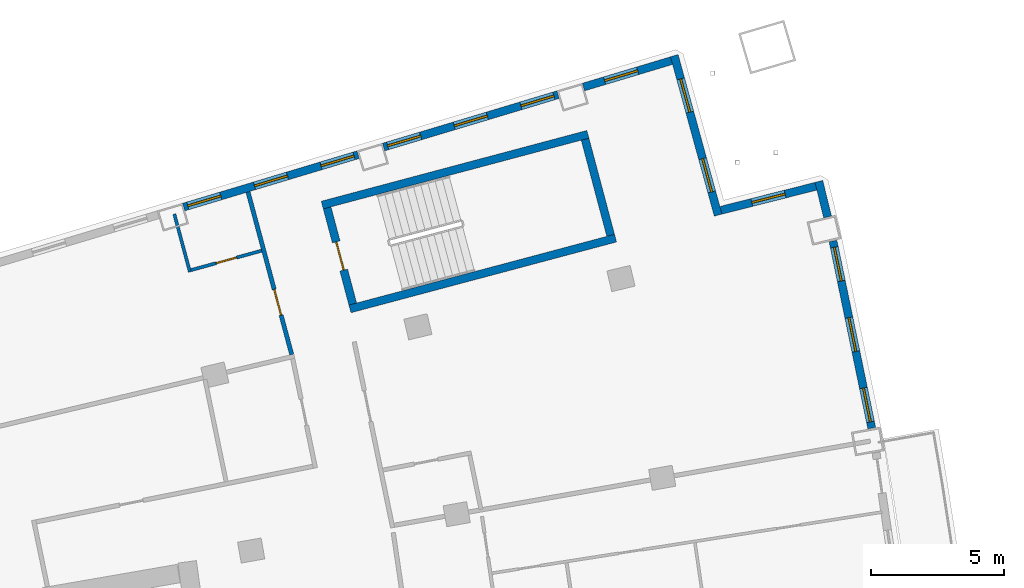
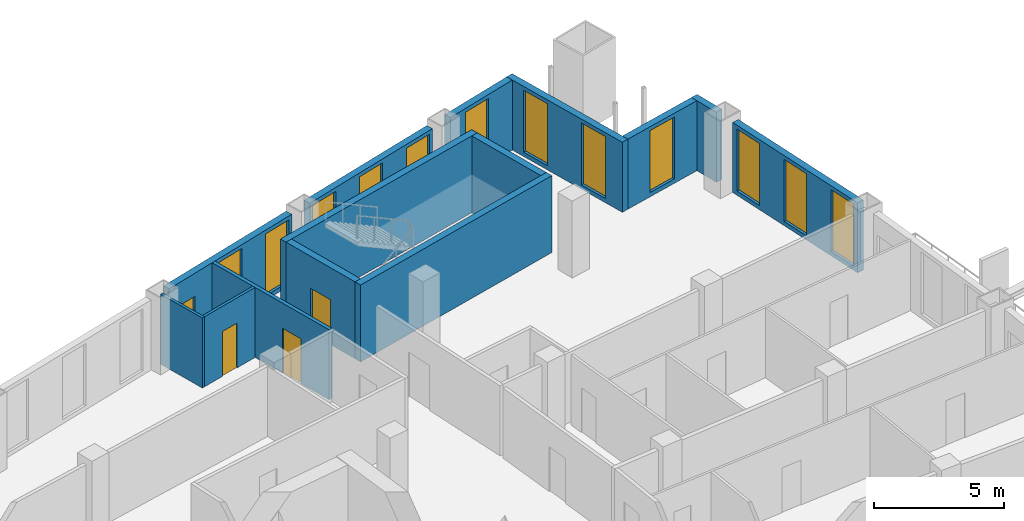
# One storey, part 16 of 20: 14 walls, 13 windows, 3 doors, 16 openings.
"""IFC4 building model written with IfcOpenShell, lengths in metres."""

from ifc_helpers import new_model, si_unit, direction, frame, frame_2d, origin, place, context, subcontext, project, spatial, rectangle, extrude, material, layer, layer_set, type_object, element, fill, save


model = new_model("IFC4")

# Units and contexts
model_context = context("Model", 3, precision=1e-05, world=origin(), true_north=direction((0.0, 1.0)))
body_context = subcontext(model_context, "Body", "Model", "MODEL_VIEW")
ifc_project = project(units=[si_unit("LENGTHUNIT", "METRE"), si_unit("AREAUNIT", "SQUARE_METRE"), si_unit("VOLUMEUNIT", "CUBIC_METRE"), si_unit("PLANEANGLEUNIT", "RADIAN"), si_unit("MASSUNIT", "GRAM", prefix="KILO")], contexts=[model_context])

# Site, building, storey
site_placement = place(None, origin())
site = spatial("IfcSite", under=ifc_project, at=site_placement, CompositionType="ELEMENT")
building_placement = place(site_placement, origin())
building = spatial("IfcBuilding", under=site, at=building_placement, Name="Alderwake Tower", CompositionType="ELEMENT")
storey_placement = place(building_placement, frame((0.0, 0.0, 164.0)))
storey = spatial("IfcBuildingStorey", under=building, at=storey_placement, Name="L40", CompositionType="ELEMENT", Elevation=164.0)

# Walls
ifc_material_1 = material(Name="Concrete C70/85", Category="concrete")
ifc_layer_1 = layer(ifc_material_1, 0.300048828125)
ifc_layer_set_1 = layer_set([ifc_layer_1], Name="Core wall stair enclosure 300 C70-85")
wall_type_1 = type_object("IfcWallType", Name="Core wall stair enclosure 300 C70-85", PredefinedType="SHEAR", material=ifc_layer_set_1)
for number, where, z_axis, x_axis, name in (
    (1, (36.71142578125, 94.182373046875, 0.0), (0.0, 0.0, 1.0), (0.966309214305, 0.257383958996, 0.0), "Core wall CW.082"),
    (2, (37.75390625, 90.268798828125, 0.0), (0.0, 0.0, 1.0), (0.966309214305, 0.257383958996, 0.0), "Core wall CW.084"),
):
    element("IfcWall", number, at=place(storey_placement, frame(where, z_axis=z_axis, x_axis=x_axis)), inside=storey, type_object=wall_type_1, Name=name, PredefinedType="SHEAR", context=body_context, shape_type="SweptSolid", body=[
        extrude(rectangle(XDim=10.360107421875, YDim=0.300048828125, at=frame_2d((5.18017578125, 0.0))), origin(), (0.0, 0.0, 1.0), 3.60009765625),
    ])

# Wall, opening, door
wall_1_placement = place(storey_placement, frame((37.8603515625, 90.452392578125, 0.0), z_axis=(0.0, 0.0, 1.0), x_axis=(-0.257411420208, 0.966301899381, 0.0)))
wall_1 = element("IfcWall", 3, at=wall_1_placement, inside=storey, type_object=wall_type_1, Name="Core wall CW.083", PredefinedType="SHEAR", context=body_context, shape_type="SweptSolid", body=[
    extrude(rectangle(XDim=3.750244140625, YDim=0.300048828125, at=frame_2d((1.875, 0.0))), origin(), (0.0, 0.0, 1.0), 3.60009765625),
])
opening_1_placement = place(wall_1_placement, frame((1.324951171875, 0.0, 0.0)))
opening_1 = element("IfcOpeningElement", 4, at=opening_1_placement, cuts=wall_1, Name="Opening C062", PredefinedType="OPENING", context=body_context, shape_type="SweptSolid", body=[
    extrude(rectangle(XDim=1.10009765625, YDim=2.10009765625, at=frame_2d((0.550048828125, 1.050048828125))), frame((0.0, 0.159912109375, 0.0), z_axis=(0.0, -1.0, 0.0), x_axis=(1.0, 0.0, 0.0)), (0.0, 0.0, 1.0), 0.320068359375),
])
ifc_material_2 = material(Name="Steel-framed fire door leaf", Category="steel")
door_type_1 = type_object("IfcDoorType", Name="Core stair door 1100 fire-rated", OperationType="SINGLE_SWING_LEFT", PredefinedType="DOOR", material=ifc_material_2)
door_1_placement = place(opening_1_placement, origin())
door_1 = element("IfcDoor", 5, at=door_1_placement, inside=storey, type_object=door_type_1, Name="Stair door", OperationType="SINGLE_SWING_LEFT", OverallHeight=2.10009765625, OverallWidth=1.10009765625, PredefinedType="DOOR", context=body_context, shape_type="SweptSolid", body=[
    extrude(rectangle(XDim=1.10009765625, YDim=2.10009765625, at=frame_2d((0.550048828125, 1.050048828125))), frame((0.0, 0.02490234375, 0.0), z_axis=(0.0, -1.0, 0.0), x_axis=(1.0, 0.0, 0.0)), (0.0, 0.0, 1.0), 0.050048828125),
])
fill(opening_1, door_1)

# Wall
wall_2_placement = place(storey_placement, frame((47.581298828125, 93.041748046875, 0.0), z_axis=(0.0, 0.0, 1.0), x_axis=(-0.257366821694, 0.966313778796, 0.0)))
element("IfcWall", 6, at=wall_2_placement, inside=storey, type_object=wall_type_1, Name="Core wall CW.081", PredefinedType="SHEAR", context=body_context, shape_type="SweptSolid", body=[
    extrude(rectangle(XDim=3.749755859375, YDim=0.300048828125, at=frame_2d((1.875, 0.0))), origin(), (0.0, 0.0, 1.0), 3.60009765625),
])

# Wall, opening, door
ifc_material_3 = material(Name="Gypsum board on metal studs, rated")
ifc_layer_2 = layer(ifc_material_3, 0.159912109375)
ifc_layer_set_2 = layer_set([ifc_layer_2], Name="Corridor wall 160")
wall_type_2 = type_object("IfcWallType", Name="Corridor wall 160", PredefinedType="PARTITIONING", material=ifc_layer_set_2)
wall_3_placement = place(storey_placement, frame((35.55908203125, 88.54736328125, 0.0), z_axis=(0.0, 0.0, 1.0), x_axis=(-0.259486497004, 0.965746735885, 0.0)))
wall_3 = element("IfcWall", 7, at=wall_3_placement, inside=storey, type_object=wall_type_2, Name="WL/L40/W15", PredefinedType="PARTITIONING", context=body_context, shape_type="SweptSolid", body=[
    extrude(rectangle(XDim=6.346923828125, YDim=0.159912109375, at=frame_2d((3.17333984375, 0.0))), origin(), (0.0, 0.0, 1.0), 3.280029296875),
])
opening_2_placement = place(wall_3_placement, frame((1.5380859375, 0.0, 0.0)))
opening_2 = element("IfcOpeningElement", 8, at=opening_2_placement, cuts=wall_3, Name="Opening R11-U10.1", PredefinedType="OPENING", context=body_context, shape_type="SweptSolid", body=[
    extrude(rectangle(XDim=1.0, YDim=2.10009765625, at=frame_2d((0.5, 1.050048828125))), frame((0.0, 0.08984375, 0.0), z_axis=(0.0, -1.0, 0.0), x_axis=(1.0, 0.0, 0.0)), (0.0, 0.0, 1.0), 0.179931640625),
])
ifc_material_4 = material(Name="Solid timber leaf in steel frame", Category="steel")
door_type_2 = type_object("IfcDoorType", Name="Flat entrance door 1000 fire-rated", OperationType="SINGLE_SWING_LEFT", PredefinedType="DOOR", material=ifc_material_4)
door_2_placement = place(opening_2_placement, origin())
door_2 = element("IfcDoor", 9, at=door_2_placement, inside=storey, type_object=door_type_2, Name="DR/L40/U10.1", OperationType="SINGLE_SWING_LEFT", OverallHeight=2.10009765625, OverallWidth=1.0, PredefinedType="DOOR", context=body_context, shape_type="SweptSolid", body=[
    extrude(rectangle(XDim=1.0, YDim=2.10009765625, at=frame_2d((0.5, 1.050048828125))), frame((0.0, 0.02490234375, 0.0), z_axis=(0.0, -1.0, 0.0), x_axis=(1.0, 0.0, 0.0)), (0.0, 0.0, 1.0), 0.050048828125),
])
fill(opening_2, door_2)

# Wall, openings, windows
ifc_material_5 = material(Name="Precast concrete C50/60 spandrel panel", Category="concrete")
ifc_layer_3 = layer(ifc_material_5, 0.300048828125)
ifc_layer_set_3 = layer_set([ifc_layer_3], Name="External wall EW1 Precast concrete C50/60 spandrel")
wall_type_3 = type_object("IfcWallType", Name="External wall EW1 Precast concrete C50/60 spandrel", PredefinedType="SOLIDWALL", material=ifc_layer_set_3)
wall_4_placement = place(storey_placement, frame((57.421142578125, 85.777587890625, 0.0), z_axis=(0.0, 0.0, 1.0), x_axis=(-0.202737932552, 0.97923303187, 0.0)))
wall_4 = element("IfcWall", 10, at=wall_4_placement, inside=storey, type_object=wall_type_3, Name="External wall 19", PredefinedType="SOLIDWALL", context=body_context, shape_type="SweptSolid", body=[
    extrude(rectangle(XDim=7.19873046875, YDim=0.300048828125, at=frame_2d((3.599365234375, 0.0))), origin(), (0.0, 0.0, 1.0), 3.280029296875),
])
opening_3_placement = place(wall_4_placement, frame((0.2392578125, 0.0, 0.199951171875)))
opening_3 = element("IfcOpeningElement", 11, at=opening_3_placement, cuts=wall_4, Name="Opening W1", PredefinedType="OPENING", context=body_context, shape_type="SweptSolid", body=[
    extrude(rectangle(XDim=1.300048828125, YDim=2.89990234375, at=frame_2d((0.64990234375, 1.449951171875))), frame((0.0, 0.159912109375, 0.0), z_axis=(0.0, -1.0, 0.0), x_axis=(1.0, 0.0, 0.0)), (0.0, 0.0, 1.0), 0.320068359375),
])
opening_4_placement = place(wall_4_placement, frame((2.949462890625, 0.0, 0.199951171875)))
opening_4 = element("IfcOpeningElement", 12, at=opening_4_placement, cuts=wall_4, Name="Opening W1", PredefinedType="OPENING", context=body_context, shape_type="SweptSolid", body=[
    extrude(rectangle(XDim=1.300048828125, YDim=2.89990234375, at=frame_2d((0.64990234375, 1.449951171875))), frame((0.0, 0.159912109375, 0.0), z_axis=(0.0, -1.0, 0.0), x_axis=(1.0, 0.0, 0.0)), (0.0, 0.0, 1.0), 0.320068359375),
])
opening_5_placement = place(wall_4_placement, frame((5.659423828125, 0.0, 0.199951171875)))
opening_5 = element("IfcOpeningElement", 13, at=opening_5_placement, cuts=wall_4, Name="Opening W1", PredefinedType="OPENING", context=body_context, shape_type="SweptSolid", body=[
    extrude(rectangle(XDim=1.300048828125, YDim=2.89990234375, at=frame_2d((0.64990234375, 1.449951171875))), frame((0.0, 0.159912109375, 0.0), z_axis=(0.0, -1.0, 0.0), x_axis=(1.0, 0.0, 0.0)), (0.0, 0.0, 1.0), 0.320068359375),
])
ifc_material_6 = material(Name="Bronze tinted glass in aluminium frame", Category="aluminium")
window_type_1 = type_object("IfcWindowType", Name="Window W1 tall fixed and vent", PartitioningType="DOUBLE_PANEL_VERTICAL", PredefinedType="WINDOW", material=ifc_material_6)
window_1_placement = place(opening_3_placement, origin())
window_1 = element("IfcWindow", 14, at=window_1_placement, inside=storey, type_object=window_type_1, Name="Window W1 tall fixed and vent", OverallHeight=2.89990234375, OverallWidth=1.300048828125, PartitioningType="DOUBLE_PANEL_VERTICAL", PredefinedType="WINDOW", context=body_context, shape_type="SweptSolid", body=[
    extrude(rectangle(XDim=1.300048828125, YDim=2.89990234375, at=frame_2d((0.64990234375, 1.449951171875))), frame((0.0, 0.030029296875, 0.0), z_axis=(0.0, -1.0, 0.0), x_axis=(1.0, 0.0, 0.0)), (0.0, 0.0, 1.0), 0.06005859375),
])
fill(opening_3, window_1)
window_2_placement = place(opening_4_placement, origin())
window_2 = element("IfcWindow", 15, at=window_2_placement, inside=storey, type_object=window_type_1, Name="Window W1 tall fixed and vent", OverallHeight=2.89990234375, OverallWidth=1.300048828125, PartitioningType="DOUBLE_PANEL_VERTICAL", PredefinedType="WINDOW", context=body_context, shape_type="SweptSolid", body=[
    extrude(rectangle(XDim=1.300048828125, YDim=2.89990234375, at=frame_2d((0.64990234375, 1.449951171875))), frame((0.0, 0.030029296875, 0.0), z_axis=(0.0, -1.0, 0.0), x_axis=(1.0, 0.0, 0.0)), (0.0, 0.0, 1.0), 0.06005859375),
])
fill(opening_4, window_2)
window_3_placement = place(opening_5_placement, origin())
window_3 = element("IfcWindow", 16, at=window_3_placement, inside=storey, type_object=window_type_1, Name="Window W1 tall fixed and vent", OverallHeight=2.89990234375, OverallWidth=1.300048828125, PartitioningType="DOUBLE_PANEL_VERTICAL", PredefinedType="WINDOW", context=body_context, shape_type="SweptSolid", body=[
    extrude(rectangle(XDim=1.300048828125, YDim=2.89990234375, at=frame_2d((0.64990234375, 1.449951171875))), frame((0.0, 0.030029296875, 0.0), z_axis=(0.0, -1.0, 0.0), x_axis=(1.0, 0.0, 0.0)), (0.0, 0.0, 1.0), 0.06005859375),
])
fill(opening_5, window_3)

# Wall
wall_5_placement = place(storey_placement, frame((55.757080078125, 93.73291015625, 0.0), z_axis=(0.0, 0.0, 1.0), x_axis=(-0.238372588169, 0.971173779099, 0.0)))
element("IfcWall", 17, at=wall_5_placement, inside=storey, type_object=wall_type_3, Name="External wall 20", PredefinedType="SOLIDWALL", context=body_context, shape_type="SweptSolid", body=[
    extrude(rectangle(XDim=1.380615234375, YDim=0.300048828125, at=frame_2d((0.6904296875, 0.0))), origin(), (0.0, 0.0, 1.0), 3.280029296875),
])

# Wall, opening, window
ifc_material_7 = material(Name="Bronze metal cladding on lightweight framing")
ifc_layer_4 = layer(ifc_material_7, 0.300048828125)
ifc_layer_set_4 = layer_set([ifc_layer_4], Name="External wall EW2 bronze metal cladding")
wall_type_4 = type_object("IfcWallType", Name="External wall EW2 bronze metal cladding", PredefinedType="SOLIDWALL", material=ifc_layer_set_4)
wall_6_placement = place(storey_placement, frame((55.318359375, 94.891357421875, 0.0), z_axis=(0.0, 0.0, 1.0), x_axis=(-0.96941119971, -0.245442306614, 0.0)))
wall_6 = element("IfcWall", 18, at=wall_6_placement, inside=storey, type_object=wall_type_4, Name="External wall 21", PredefinedType="SOLIDWALL", context=body_context, shape_type="SweptSolid", body=[
    extrude(rectangle(XDim=3.6943359375, YDim=0.300048828125, at=frame_2d((1.84716796875, 0.0))), origin(), (0.0, 0.0, 1.0), 3.280029296875),
])
opening_6_placement = place(wall_6_placement, frame((1.197021484375, 0.0, 0.199951171875)))
opening_6 = element("IfcOpeningElement", 19, at=opening_6_placement, cuts=wall_6, Name="Opening W1", PredefinedType="OPENING", context=body_context, shape_type="SweptSolid", body=[
    extrude(rectangle(XDim=1.300048828125, YDim=2.89990234375, at=frame_2d((0.64990234375, 1.449951171875))), frame((0.0, 0.159912109375, 0.0), z_axis=(0.0, -1.0, 0.0), x_axis=(1.0, 0.0, 0.0)), (0.0, 0.0, 1.0), 0.320068359375),
])
window_4_placement = place(opening_6_placement, origin())
window_4 = element("IfcWindow", 20, at=window_4_placement, inside=storey, type_object=window_type_1, Name="Window W1 tall fixed and vent", OverallHeight=2.89990234375, OverallWidth=1.300048828125, PartitioningType="DOUBLE_PANEL_VERTICAL", PredefinedType="WINDOW", context=body_context, shape_type="SweptSolid", body=[
    extrude(rectangle(XDim=1.300048828125, YDim=2.89990234375, at=frame_2d((0.64990234375, 1.449951171875))), frame((0.0, 0.030029296875, 0.0), z_axis=(0.0, -1.0, 0.0), x_axis=(1.0, 0.0, 0.0)), (0.0, 0.0, 1.0), 0.06005859375),
])
fill(opening_6, window_4)

# Wall, openings, windows
wall_7_placement = place(storey_placement, frame((51.63134765625, 93.80322265625, 0.0), z_axis=(0.0, 0.0, 1.0), x_axis=(-0.265118255006, 0.964215904693, 0.0)))
wall_7 = element("IfcWall", 21, at=wall_7_placement, inside=storey, type_object=wall_type_4, Name="External wall 22", PredefinedType="SOLIDWALL", context=body_context, shape_type="SweptSolid", body=[
    extrude(rectangle(XDim=6.234375, YDim=0.300048828125, at=frame_2d((3.1171875, 0.0))), origin(), (0.0, 0.0, 1.0), 3.280029296875),
])
opening_7_placement = place(wall_7_placement, frame((0.90869140625, 0.0, 0.199951171875)))
opening_7 = element("IfcOpeningElement", 22, at=opening_7_placement, cuts=wall_7, Name="Opening W1", PredefinedType="OPENING", context=body_context, shape_type="SweptSolid", body=[
    extrude(rectangle(XDim=1.300048828125, YDim=2.89990234375, at=frame_2d((0.64990234375, 1.449951171875))), frame((0.0, 0.159912109375, 0.0), z_axis=(0.0, -1.0, 0.0), x_axis=(1.0, 0.0, 0.0)), (0.0, 0.0, 1.0), 0.320068359375),
])
opening_8_placement = place(wall_7_placement, frame((4.025634765625, 0.0, 0.199951171875)))
opening_8 = element("IfcOpeningElement", 23, at=opening_8_placement, cuts=wall_7, Name="Opening W1", PredefinedType="OPENING", context=body_context, shape_type="SweptSolid", body=[
    extrude(rectangle(XDim=1.300048828125, YDim=2.89990234375, at=frame_2d((0.64990234375, 1.449951171875))), frame((0.0, 0.159912109375, 0.0), z_axis=(0.0, -1.0, 0.0), x_axis=(1.0, 0.0, 0.0)), (0.0, 0.0, 1.0), 0.320068359375),
])
window_5_placement = place(opening_7_placement, origin())
window_5 = element("IfcWindow", 24, at=window_5_placement, inside=storey, type_object=window_type_1, Name="Window W1 tall fixed and vent", OverallHeight=2.89990234375, OverallWidth=1.300048828125, PartitioningType="DOUBLE_PANEL_VERTICAL", PredefinedType="WINDOW", context=body_context, shape_type="SweptSolid", body=[
    extrude(rectangle(XDim=1.300048828125, YDim=2.89990234375, at=frame_2d((0.64990234375, 1.449951171875))), frame((0.0, 0.030029296875, 0.0), z_axis=(0.0, -1.0, 0.0), x_axis=(1.0, 0.0, 0.0)), (0.0, 0.0, 1.0), 0.06005859375),
])
fill(opening_7, window_5)
window_6_placement = place(opening_8_placement, origin())
window_6 = element("IfcWindow", 25, at=window_6_placement, inside=storey, type_object=window_type_1, Name="Window W1 tall fixed and vent", OverallHeight=2.89990234375, OverallWidth=1.300048828125, PartitioningType="DOUBLE_PANEL_VERTICAL", PredefinedType="WINDOW", context=body_context, shape_type="SweptSolid", body=[
    extrude(rectangle(XDim=1.300048828125, YDim=2.89990234375, at=frame_2d((0.64990234375, 1.449951171875))), frame((0.0, 0.030029296875, 0.0), z_axis=(0.0, -1.0, 0.0), x_axis=(1.0, 0.0, 0.0)), (0.0, 0.0, 1.0), 0.06005859375),
])
fill(opening_8, window_6)

# Wall, opening, window
wall_8_placement = place(storey_placement, frame((49.874755859375, 99.626708984375, 0.0), z_axis=(0.0, 0.0, 1.0), x_axis=(-0.957758344501, -0.287574257433, 0.0)))
wall_8 = element("IfcWall", 26, at=wall_8_placement, inside=storey, type_object=wall_type_4, Name="External wall 23", PredefinedType="SOLIDWALL", context=body_context, shape_type="SweptSolid", body=[
    extrude(rectangle(XDim=3.462890625, YDim=0.300048828125, at=frame_2d((1.7314453125, 0.0))), origin(), (0.0, 0.0, 1.0), 3.280029296875),
])
opening_9_placement = place(wall_8_placement, frame((1.33251953125, 0.0, 0.199951171875)))
opening_9 = element("IfcOpeningElement", 27, at=opening_9_placement, cuts=wall_8, Name="Opening W1", PredefinedType="OPENING", context=body_context, shape_type="SweptSolid", body=[
    extrude(rectangle(XDim=1.300048828125, YDim=2.89990234375, at=frame_2d((0.64990234375, 1.449951171875))), frame((0.0, 0.159912109375, 0.0), z_axis=(0.0, -1.0, 0.0), x_axis=(1.0, 0.0, 0.0)), (0.0, 0.0, 1.0), 0.320068359375),
])
window_7_placement = place(opening_9_placement, origin())
window_7 = element("IfcWindow", 28, at=window_7_placement, inside=storey, type_object=window_type_1, Name="Window W1 tall fixed and vent", OverallHeight=2.89990234375, OverallWidth=1.300048828125, PartitioningType="DOUBLE_PANEL_VERTICAL", PredefinedType="WINDOW", context=body_context, shape_type="SweptSolid", body=[
    extrude(rectangle(XDim=1.300048828125, YDim=2.89990234375, at=frame_2d((0.64990234375, 1.449951171875))), frame((0.0, 0.030029296875, 0.0), z_axis=(0.0, -1.0, 0.0), x_axis=(1.0, 0.0, 0.0)), (0.0, 0.0, 1.0), 0.06005859375),
])
fill(opening_9, window_7)

# Wall, openings, windows
wall_9_placement = place(storey_placement, frame((45.5966796875, 98.34228515625, 0.0), z_axis=(0.0, 0.0, 1.0), x_axis=(-0.957766538893, -0.287546964821, 0.0)))
wall_9 = element("IfcWall", 29, at=wall_9_placement, inside=storey, type_object=wall_type_4, Name="External wall 24", PredefinedType="SOLIDWALL", context=body_context, shape_type="SweptSolid", body=[
    extrude(rectangle(XDim=6.86279296875, YDim=0.300048828125, at=frame_2d((3.431396484375, 0.0))), origin(), (0.0, 0.0, 1.0), 3.280029296875),
])
opening_10_placement = place(wall_9_placement, frame((0.1591796875, 0.0, 0.199951171875)))
opening_10 = element("IfcOpeningElement", 30, at=opening_10_placement, cuts=wall_9, Name="Opening W1", PredefinedType="OPENING", context=body_context, shape_type="SweptSolid", body=[
    extrude(rectangle(XDim=1.300048828125, YDim=2.89990234375, at=frame_2d((0.64990234375, 1.449951171875))), frame((0.0, 0.159912109375, 0.0), z_axis=(0.0, -1.0, 0.0), x_axis=(1.0, 0.0, 0.0)), (0.0, 0.0, 1.0), 0.320068359375),
])
opening_11_placement = place(wall_9_placement, frame((2.781494140625, 0.0, 0.199951171875)))
opening_11 = element("IfcOpeningElement", 31, at=opening_11_placement, cuts=wall_9, Name="Opening W1", PredefinedType="OPENING", context=body_context, shape_type="SweptSolid", body=[
    extrude(rectangle(XDim=1.300048828125, YDim=2.89990234375, at=frame_2d((0.64990234375, 1.449951171875))), frame((0.0, 0.159912109375, 0.0), z_axis=(0.0, -1.0, 0.0), x_axis=(1.0, 0.0, 0.0)), (0.0, 0.0, 1.0), 0.320068359375),
])
opening_12_placement = place(wall_9_placement, frame((5.40380859375, 0.0, 0.199951171875)))
opening_12 = element("IfcOpeningElement", 32, at=opening_12_placement, cuts=wall_9, Name="Opening W1", PredefinedType="OPENING", context=body_context, shape_type="SweptSolid", body=[
    extrude(rectangle(XDim=1.300048828125, YDim=2.89990234375, at=frame_2d((0.64990234375, 1.449951171875))), frame((0.0, 0.159912109375, 0.0), z_axis=(0.0, -1.0, 0.0), x_axis=(1.0, 0.0, 0.0)), (0.0, 0.0, 1.0), 0.320068359375),
])
window_8_placement = place(opening_10_placement, origin())
window_8 = element("IfcWindow", 33, at=window_8_placement, inside=storey, type_object=window_type_1, Name="Window W1 tall fixed and vent", OverallHeight=2.89990234375, OverallWidth=1.300048828125, PartitioningType="DOUBLE_PANEL_VERTICAL", PredefinedType="WINDOW", context=body_context, shape_type="SweptSolid", body=[
    extrude(rectangle(XDim=1.300048828125, YDim=2.89990234375, at=frame_2d((0.64990234375, 1.449951171875))), frame((0.0, 0.030029296875, 0.0), z_axis=(0.0, -1.0, 0.0), x_axis=(1.0, 0.0, 0.0)), (0.0, 0.0, 1.0), 0.06005859375),
])
fill(opening_10, window_8)
window_9_placement = place(opening_11_placement, origin())
window_9 = element("IfcWindow", 34, at=window_9_placement, inside=storey, type_object=window_type_1, Name="Window W1 tall fixed and vent", OverallHeight=2.89990234375, OverallWidth=1.300048828125, PartitioningType="DOUBLE_PANEL_VERTICAL", PredefinedType="WINDOW", context=body_context, shape_type="SweptSolid", body=[
    extrude(rectangle(XDim=1.300048828125, YDim=2.89990234375, at=frame_2d((0.64990234375, 1.449951171875))), frame((0.0, 0.030029296875, 0.0), z_axis=(0.0, -1.0, 0.0), x_axis=(1.0, 0.0, 0.0)), (0.0, 0.0, 1.0), 0.06005859375),
])
fill(opening_11, window_9)
window_10_placement = place(opening_12_placement, origin())
window_10 = element("IfcWindow", 35, at=window_10_placement, inside=storey, type_object=window_type_1, Name="Window W1 tall fixed and vent", OverallHeight=2.89990234375, OverallWidth=1.300048828125, PartitioningType="DOUBLE_PANEL_VERTICAL", PredefinedType="WINDOW", context=body_context, shape_type="SweptSolid", body=[
    extrude(rectangle(XDim=1.300048828125, YDim=2.89990234375, at=frame_2d((0.64990234375, 1.449951171875))), frame((0.0, 0.030029296875, 0.0), z_axis=(0.0, -1.0, 0.0), x_axis=(1.0, 0.0, 0.0)), (0.0, 0.0, 1.0), 0.06005859375),
])
fill(opening_12, window_10)

wall_10_placement = place(storey_placement, frame((38.062255859375, 96.080078125, 0.0), z_axis=(0.0, 0.0, 1.0), x_axis=(-0.957776335697, -0.287514331431, 0.0)))
wall_10 = element("IfcWall", 36, at=wall_10_placement, inside=storey, type_object=wall_type_4, Name="External wall 25", PredefinedType="SOLIDWALL", context=body_context, shape_type="SweptSolid", body=[
    extrude(rectangle(XDim=6.86279296875, YDim=0.300048828125, at=frame_2d((3.431396484375, 0.0))), origin(), (0.0, 0.0, 1.0), 3.280029296875),
])
opening_13_placement = place(wall_10_placement, frame((0.1591796875, 0.0, 0.199951171875)))
opening_13 = element("IfcOpeningElement", 37, at=opening_13_placement, cuts=wall_10, Name="Opening W1", PredefinedType="OPENING", context=body_context, shape_type="SweptSolid", body=[
    extrude(rectangle(XDim=1.300048828125, YDim=2.89990234375, at=frame_2d((0.64990234375, 1.449951171875))), frame((0.0, 0.159912109375, 0.0), z_axis=(0.0, -1.0, 0.0), x_axis=(1.0, 0.0, 0.0)), (0.0, 0.0, 1.0), 0.320068359375),
])
opening_14_placement = place(wall_10_placement, frame((2.781494140625, 0.0, 0.199951171875)))
opening_14 = element("IfcOpeningElement", 38, at=opening_14_placement, cuts=wall_10, Name="Opening W1", PredefinedType="OPENING", context=body_context, shape_type="SweptSolid", body=[
    extrude(rectangle(XDim=1.300048828125, YDim=2.89990234375, at=frame_2d((0.64990234375, 1.449951171875))), frame((0.0, 0.159912109375, 0.0), z_axis=(0.0, -1.0, 0.0), x_axis=(1.0, 0.0, 0.0)), (0.0, 0.0, 1.0), 0.320068359375),
])
opening_15_placement = place(wall_10_placement, frame((5.40380859375, 0.0, 1.0)))
opening_15 = element("IfcOpeningElement", 39, at=opening_15_placement, cuts=wall_10, Name="Opening W2", PredefinedType="OPENING", context=body_context, shape_type="SweptSolid", body=[
    extrude(rectangle(XDim=1.300048828125, YDim=1.199951171875, at=frame_2d((0.64990234375, 0.60009765625))), frame((0.0, 0.159912109375, 0.0), z_axis=(0.0, -1.0, 0.0), x_axis=(1.0, 0.0, 0.0)), (0.0, 0.0, 1.0), 0.320068359375),
])
window_11_placement = place(opening_13_placement, origin())
window_11 = element("IfcWindow", 40, at=window_11_placement, inside=storey, type_object=window_type_1, Name="Window W1 tall fixed and vent", OverallHeight=2.89990234375, OverallWidth=1.300048828125, PartitioningType="DOUBLE_PANEL_VERTICAL", PredefinedType="WINDOW", context=body_context, shape_type="SweptSolid", body=[
    extrude(rectangle(XDim=1.300048828125, YDim=2.89990234375, at=frame_2d((0.64990234375, 1.449951171875))), frame((0.0, 0.030029296875, 0.0), z_axis=(0.0, -1.0, 0.0), x_axis=(1.0, 0.0, 0.0)), (0.0, 0.0, 1.0), 0.06005859375),
])
fill(opening_13, window_11)
window_12_placement = place(opening_14_placement, origin())
window_12 = element("IfcWindow", 41, at=window_12_placement, inside=storey, type_object=window_type_1, Name="Window W1 tall fixed and vent", OverallHeight=2.89990234375, OverallWidth=1.300048828125, PartitioningType="DOUBLE_PANEL_VERTICAL", PredefinedType="WINDOW", context=body_context, shape_type="SweptSolid", body=[
    extrude(rectangle(XDim=1.300048828125, YDim=2.89990234375, at=frame_2d((0.64990234375, 1.449951171875))), frame((0.0, 0.030029296875, 0.0), z_axis=(0.0, -1.0, 0.0), x_axis=(1.0, 0.0, 0.0)), (0.0, 0.0, 1.0), 0.06005859375),
])
fill(opening_14, window_12)
ifc_material_8 = material(Name="Bronze tinted glass in aluminium frame", Category="aluminium")
window_type_2 = type_object("IfcWindowType", Name="Window W2 kitchen and bath", PartitioningType="SINGLE_PANEL", PredefinedType="WINDOW", material=ifc_material_8)
window_13_placement = place(opening_15_placement, origin())
window_13 = element("IfcWindow", 42, at=window_13_placement, inside=storey, type_object=window_type_2, Name="Window W2 kitchen and bath", OverallHeight=1.199951171875, OverallWidth=1.300048828125, PartitioningType="SINGLE_PANEL", PredefinedType="WINDOW", context=body_context, shape_type="SweptSolid", body=[
    extrude(rectangle(XDim=1.300048828125, YDim=1.199951171875, at=frame_2d((0.64990234375, 0.60009765625))), frame((0.0, 0.030029296875, 0.0), z_axis=(0.0, -1.0, 0.0), x_axis=(1.0, 0.0, 0.0)), (0.0, 0.0, 1.0), 0.06005859375),
])
fill(opening_15, window_13)

# Wall
ifc_material_9 = material(Name="Moisture resistant gypsum board on metal studs")
ifc_layer_5 = layer(ifc_material_9, 0.1201171875)
ifc_layer_set_5 = layer_set([ifc_layer_5], Name="Wet room partition 120")
wall_type_5 = type_object("IfcWallType", Name="Wet room partition 120", PredefinedType="PARTITIONING", material=ifc_layer_set_5)
wall_11_placement = place(storey_placement, frame((31.134033203125, 93.843017578125, 0.0), z_axis=(0.0, 0.0, 1.0), x_axis=(0.260139854323, -0.965570948296, 0.0)))
element("IfcWall", 43, at=wall_11_placement, inside=storey, type_object=wall_type_5, Name="WL/L40/W29", PredefinedType="PARTITIONING", context=body_context, shape_type="SweptSolid", body=[
    extrude(rectangle(XDim=2.2626953125, YDim=0.1201171875, at=frame_2d((1.13134765625, 0.0))), origin(), (0.0, 0.0, 1.0), 3.280029296875),
])

# Wall, opening, door
wall_12_placement = place(storey_placement, frame((31.764892578125, 91.73193359375, 0.0), z_axis=(0.0, 0.0, 1.0), x_axis=(0.964278304966, 0.264891205163, 0.0)))
wall_12 = element("IfcWall", 44, at=wall_12_placement, inside=storey, type_object=wall_type_5, Name="WL/L40/W31", PredefinedType="PARTITIONING", context=body_context, shape_type="SweptSolid", body=[
    extrude(rectangle(XDim=2.759521484375, YDim=0.1201171875, at=frame_2d((1.3798828125, 0.0))), origin(), (0.0, 0.0, 1.0), 3.280029296875),
])
opening_16_placement = place(wall_12_placement, frame((0.979736328125, 0.0, 0.0)))
opening_16 = element("IfcOpeningElement", 45, at=opening_16_placement, cuts=wall_12, Name="Opening R11-U10.2", PredefinedType="OPENING", context=body_context, shape_type="SweptSolid", body=[
    extrude(rectangle(XDim=0.800048828125, YDim=2.10009765625, at=frame_2d((0.39990234375, 1.050048828125))), frame((0.0, 0.070068359375, 0.0), z_axis=(0.0, -1.0, 0.0), x_axis=(1.0, 0.0, 0.0)), (0.0, 0.0, 1.0), 0.14013671875),
])
ifc_material_10 = material(Name="Painted timber leaf", Category="wood")
door_type_3 = type_object("IfcDoorType", Name="Bathroom door 800", OperationType="SINGLE_SWING_LEFT", PredefinedType="DOOR", material=ifc_material_10)
door_3_placement = place(opening_16_placement, origin())
door_3 = element("IfcDoor", 46, at=door_3_placement, inside=storey, type_object=door_type_3, Name="DR/L40/U10.2", OperationType="SINGLE_SWING_LEFT", OverallHeight=2.10009765625, OverallWidth=0.800048828125, PredefinedType="DOOR", context=body_context, shape_type="SweptSolid", body=[
    extrude(rectangle(XDim=0.800048828125, YDim=2.10009765625, at=frame_2d((0.39990234375, 1.050048828125))), frame((0.0, 0.02490234375, 0.0), z_axis=(0.0, -1.0, 0.0), x_axis=(1.0, 0.0, 0.0)), (0.0, 0.0, 1.0), 0.050048828125),
])
fill(opening_16, door_3)

save(model, "model.ifc")
